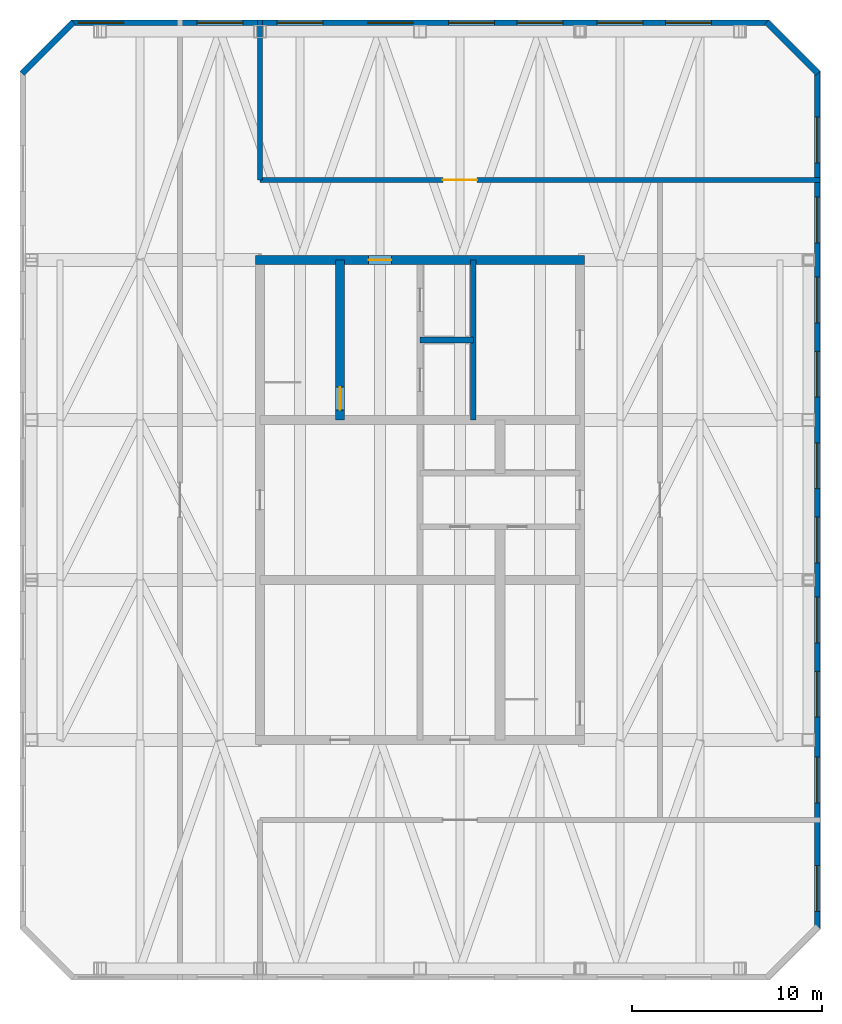
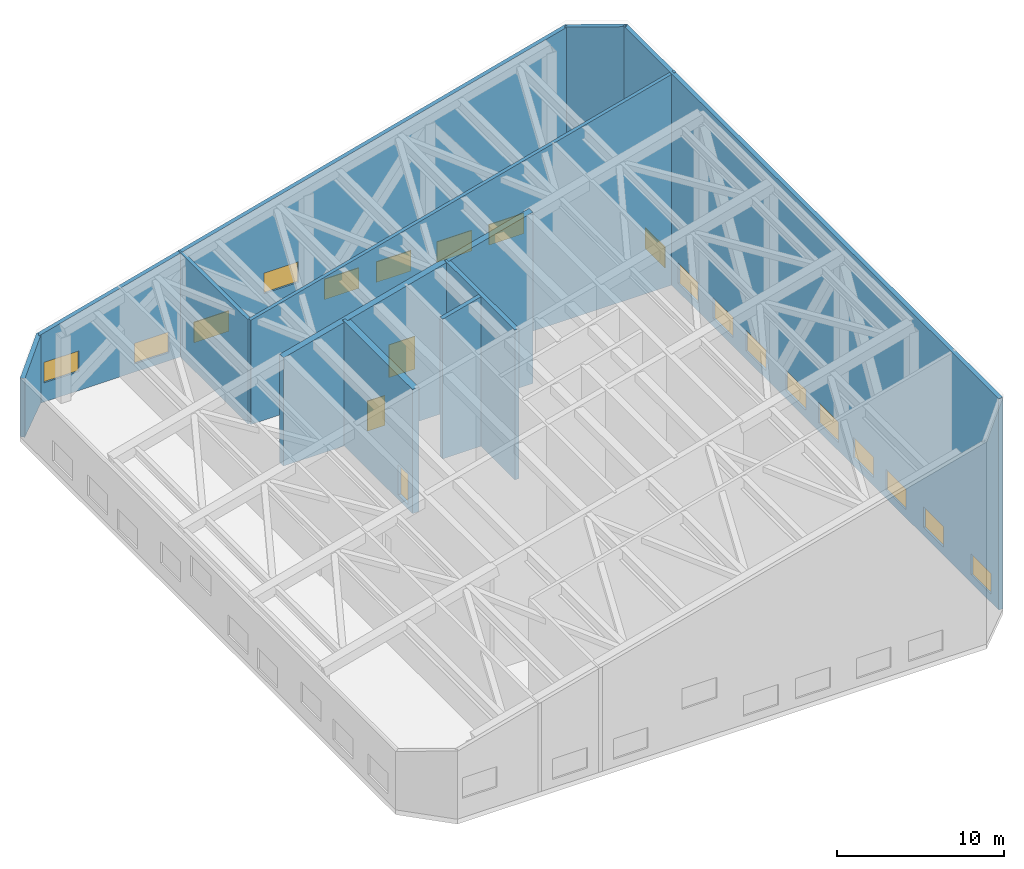
# One storey, part 4 of 5: 18 windows, 10 walls, 3 doors, 21 openings.
"""IFC4 building model written with IfcOpenShell, lengths in metres."""

from ifc_helpers import new_model, si_unit, direction, frame, frame_2d, origin, place, context, subcontext, project, spatial, polyline, rectangle, outline, extrude, material, layer, layer_set, type_object, element, fill, save


model = new_model("IFC4")

# Units and contexts
model_context = context("Model", 3, precision=1e-05, world=origin(), true_north=direction((0.0, 1.0)))
body_context = subcontext(model_context, "Body", "Model", "MODEL_VIEW")
ifc_project = project(units=[si_unit("LENGTHUNIT", "METRE"), si_unit("AREAUNIT", "SQUARE_METRE"), si_unit("VOLUMEUNIT", "CUBIC_METRE"), si_unit("PLANEANGLEUNIT", "RADIAN"), si_unit("MASSUNIT", "GRAM", prefix="KILO")], contexts=[model_context])

# Site, building, storey
site_placement = place(None, origin())
site = spatial("IfcSite", under=ifc_project, at=site_placement, CompositionType="ELEMENT")
building_placement = place(site_placement, origin())
building = spatial("IfcBuilding", under=site, at=building_placement, Name="Dunama Terrace Hotel", CompositionType="ELEMENT")
storey_placement = place(building_placement, frame((0.0, 0.0, 293.60009765625)))
storey = spatial("IfcBuildingStorey", under=building, at=storey_placement, Name="L75", CompositionType="ELEMENT", Elevation=293.60009765625)

# Walls
ifc_material_1 = material(Name="Concrete C50/60", Category="concrete")
ifc_layer_1 = layer(ifc_material_1, 0.300048828125)
ifc_layer_set_1 = layer_set([ifc_layer_1], Name="Core inner wall 300")
wall_type_1 = type_object("IfcWallType", Name="Core inner wall 300", PredefinedType="SHEAR", material=ifc_layer_set_1)
wall_1_placement = place(storey_placement, frame((36.39990234375, 33.60009765625, -0.35009765625), z_axis=(0.0, 0.0, 1.0), x_axis=(0.0, 1.0, 0.0)))
element("IfcWall", 1, at=wall_1_placement, inside=storey, type_object=wall_type_1, Name="Core inner wall 300 L75", PredefinedType="SHEAR", context=body_context, shape_type="SweptSolid", body=[
    extrude(outline(polyline([(0.0, 0.0), (8.39990234375, 0.0), (8.39990234375, 10.968505859375), (0.0, 10.968505859375), (0.0, 0.0)])), frame((0.0, 0.14990234375, 0.0), z_axis=(0.0, -1.0, 0.0), x_axis=(1.0, 0.0, 0.0)), (0.0, 0.0, 1.0), 0.300048828125),
])
wall_2_placement = place(storey_placement, frame((33.60009765625, 37.800048828125, -0.35009765625), z_axis=(0.0, 0.0, 1.0), x_axis=(1.0, 0.0, 0.0)))
element("IfcWall", 2, at=wall_2_placement, inside=storey, type_object=wall_type_1, Name="Core inner wall 300 L75", PredefinedType="SHEAR", context=body_context, shape_type="SweptSolid", body=[
    extrude(outline(polyline([(0.0, 0.0), (2.7998046875, 0.0), (2.800048828125, 10.968505859375), (0.0, 10.218017578125), (0.0, 0.0)])), frame((0.0, 0.14990234375, 0.0), z_axis=(0.0, -1.0, 0.0), x_axis=(1.0, 0.0, 0.0)), (0.0, 0.0, 1.0), 0.300048828125),
])

# Wall, opening, door
ifc_material_2 = material(Name="Concrete C50/60", Category="concrete")
ifc_layer_2 = layer(ifc_material_2, 0.449951171875)
ifc_layer_set_2 = layer_set([ifc_layer_2], Name="Core inner wall 450")
wall_type_2 = type_object("IfcWallType", Name="Core inner wall 450", PredefinedType="SHEAR", material=ifc_layer_set_2)
wall_3_placement = place(storey_placement, frame((29.39990234375, 33.60009765625, -0.35009765625), z_axis=(0.0, 0.0, 1.0), x_axis=(0.0, 1.0, 0.0)))
wall_3 = element("IfcWall", 3, at=wall_3_placement, inside=storey, type_object=wall_type_2, Name="Core inner wall 450 L75", PredefinedType="SHEAR", context=body_context, shape_type="SweptSolid", body=[
    extrude(outline(polyline([(0.0, 0.0), (8.39990234375, 0.0), (8.39990234375, 9.0927734375), (0.0, 9.0927734375), (0.0, 0.0)])), frame((0.0, 0.22509765625, 0.0), z_axis=(0.0, -1.0, 0.0), x_axis=(1.0, 0.0, 0.0)), (0.0, 0.0, 1.0), 0.449951171875),
])
opening_1_placement = place(wall_3_placement, frame((0.52490234375, 0.0, 0.35009765625)))
opening_1 = element("IfcOpeningElement", 4, at=opening_1_placement, cuts=wall_3, Name="Opening L75-001", PredefinedType="OPENING", context=body_context, shape_type="SweptSolid", body=[
    extrude(rectangle(XDim=1.199951171875, YDim=2.199951171875, at=frame_2d((0.60009765625, 1.10009765625))), frame((0.0, 0.23486328125, 0.0), z_axis=(0.0, -1.0, 0.0), x_axis=(1.0, 0.0, 0.0)), (0.0, 0.0, 1.0), 0.469970703125),
])
ifc_material_3 = material(Name="Timber door with steel frame", Category="steel")
door_type_1 = type_object("IfcDoorType", Name="Stair door 1200", OperationType="SINGLE_SWING_LEFT", PredefinedType="DOOR", material=ifc_material_3)
door_1_placement = place(opening_1_placement, origin())
door_1 = element("IfcDoor", 5, at=door_1_placement, inside=storey, type_object=door_type_1, Name="Stair door ST1 L75-001, type D5", OperationType="SINGLE_SWING_LEFT", OverallHeight=2.199951171875, OverallWidth=1.199951171875, PredefinedType="DOOR", context=body_context, shape_type="SweptSolid", body=[
    extrude(rectangle(XDim=1.199951171875, YDim=2.199951171875, at=frame_2d((0.60009765625, 1.10009765625))), frame((0.0, 0.02490234375, 0.0), z_axis=(0.0, -1.0, 0.0), x_axis=(1.0, 0.0, 0.0)), (0.0, 0.0, 1.0), 0.050048828125),
])
fill(opening_1, door_1)

ifc_material_4 = material(Name="Concrete C50/60", Category="concrete")
ifc_layer_3 = layer(ifc_material_4, 0.449951171875)
ifc_layer_set_3 = layer_set([ifc_layer_3], Name="Core wall 450")
wall_type_3 = type_object("IfcWallType", Name="Core wall 450", PredefinedType="SHEAR", material=ifc_layer_set_3)
wall_4_placement = place(storey_placement, frame((42.22509765625, 42.0, -0.35009765625), z_axis=(0.0, 0.0, 1.0), x_axis=(-1.0, 0.0, 0.0)))
wall_4 = element("IfcWall", 6, at=wall_4_placement, inside=storey, type_object=wall_type_3, Name="Core wall north L75", PredefinedType="SHEAR", context=body_context, shape_type="SweptSolid", body=[
    extrude(outline(polyline([(0.0, 0.0), (17.25, 0.0), (17.25, 7.906982421875), (0.0, 12.529296875), (0.0, 0.0)])), frame((0.0, 0.22509765625, 0.0), z_axis=(0.0, -1.0, 0.0), x_axis=(1.0, 0.0, 0.0)), (0.0, 0.0, 1.0), 0.449951171875),
])
opening_2_placement = place(wall_4_placement, frame((10.125, 0.0, 0.35009765625)))
opening_2 = element("IfcOpeningElement", 7, at=opening_2_placement, cuts=wall_4, Name="Opening L75-009", PredefinedType="OPENING", context=body_context, shape_type="SweptSolid", body=[
    extrude(rectangle(XDim=1.199951171875, YDim=2.199951171875, at=frame_2d((0.60009765625, 1.10009765625))), frame((0.0, 0.23486328125, 0.0), z_axis=(0.0, -1.0, 0.0), x_axis=(1.0, 0.0, 0.0)), (0.0, 0.0, 1.0), 0.469970703125),
])
ifc_material_5 = material(Name="Timber door with steel frame", Category="steel")
door_type_2 = type_object("IfcDoorType", Name="Firefighting lobby door 1200", OperationType="SINGLE_SWING_LEFT", PredefinedType="DOOR", material=ifc_material_5)
door_2_placement = place(opening_2_placement, origin())
door_2 = element("IfcDoor", 8, at=door_2_placement, inside=storey, type_object=door_type_2, Name="Door to firefighting lobby L75-009, type D4", OperationType="SINGLE_SWING_RIGHT", OverallHeight=2.199951171875, OverallWidth=1.199951171875, PredefinedType="DOOR", context=body_context, shape_type="SweptSolid", body=[
    extrude(rectangle(XDim=1.199951171875, YDim=2.199951171875, at=frame_2d((0.60009765625, 1.10009765625))), frame((0.0, 0.02490234375, 0.0), z_axis=(0.0, -1.0, 0.0), x_axis=(1.0, 0.0, 0.0)), (0.0, 0.0, 1.0), 0.050048828125),
])
fill(opening_2, door_2)

# Wall, openings, windows
ifc_material_6 = material(Name="Granite-faced concrete blockwork", Category="masonry")
ifc_layer_4 = layer(ifc_material_6, 0.300048828125)
ifc_layer_set_4 = layer_set([ifc_layer_4], Name="Crown screen wall 300")
wall_type_4 = type_object("IfcWallType", Name="Crown screen wall 300", PredefinedType="SOLIDWALL", material=ifc_layer_set_4)
wall_5_placement = place(storey_placement, frame((54.449951171875, 6.89990234375, 0.0), z_axis=(0.0, 0.0, 1.0), x_axis=(0.0, 1.0, 0.0)))
wall_5 = element("IfcWall", 9, at=wall_5_placement, inside=storey, type_object=wall_type_4, Name="Crown screen wall 300 L75", PredefinedType="SOLIDWALL", context=body_context, shape_type="SweptSolid", body=[
    extrude(outline(polyline([(0.0, 0.0), (45.0, 0.0), (45.0, 15.454833984375), (0.0, 15.454833984375), (0.0, 0.0)])), frame((0.0, 0.14990234375, 0.0), z_axis=(0.0, -1.0, 0.0), x_axis=(1.0, 0.0, 0.0)), (0.0, 0.0, 1.0), 0.300048828125),
])
opening_3_placement = place(wall_5_placement, frame((0.89990234375, 0.0, 0.60009765625)))
opening_3 = element("IfcOpeningElement", 10, at=opening_3_placement, cuts=wall_5, Name="Opening W3", PredefinedType="OPENING", context=body_context, shape_type="SweptSolid", body=[
    extrude(rectangle(XDim=2.39990234375, YDim=1.5, at=frame_2d((1.199951171875, 0.75))), frame((0.0, 0.159912109375, 0.0), z_axis=(0.0, -1.0, 0.0), x_axis=(1.0, 0.0, 0.0)), (0.0, 0.0, 1.0), 0.320068359375),
])
opening_4_placement = place(wall_5_placement, frame((6.60009765625, 0.0, 0.60009765625)))
opening_4 = element("IfcOpeningElement", 11, at=opening_4_placement, cuts=wall_5, Name="Opening W3", PredefinedType="OPENING", context=body_context, shape_type="SweptSolid", body=[
    extrude(rectangle(XDim=2.39990234375, YDim=1.5, at=frame_2d((1.199951171875, 0.75))), frame((0.0, 0.159912109375, 0.0), z_axis=(0.0, -1.0, 0.0), x_axis=(1.0, 0.0, 0.0)), (0.0, 0.0, 1.0), 0.320068359375),
])
opening_5_placement = place(wall_5_placement, frame((11.10009765625, 0.0, 0.60009765625)))
opening_5 = element("IfcOpeningElement", 12, at=opening_5_placement, cuts=wall_5, Name="Opening W3", PredefinedType="OPENING", context=body_context, shape_type="SweptSolid", body=[
    extrude(rectangle(XDim=2.39990234375, YDim=1.5, at=frame_2d((1.199951171875, 0.75))), frame((0.0, 0.159912109375, 0.0), z_axis=(0.0, -1.0, 0.0), x_axis=(1.0, 0.0, 0.0)), (0.0, 0.0, 1.0), 0.320068359375),
])
opening_6_placement = place(wall_5_placement, frame((15.0, 0.0, 0.60009765625)))
opening_6 = element("IfcOpeningElement", 13, at=opening_6_placement, cuts=wall_5, Name="Opening W3", PredefinedType="OPENING", context=body_context, shape_type="SweptSolid", body=[
    extrude(rectangle(XDim=2.39990234375, YDim=1.5, at=frame_2d((1.199951171875, 0.75))), frame((0.0, 0.159912109375, 0.0), z_axis=(0.0, -1.0, 0.0), x_axis=(1.0, 0.0, 0.0)), (0.0, 0.0, 1.0), 0.320068359375),
])
opening_7_placement = place(wall_5_placement, frame((19.199951171875, 0.0, 0.60009765625)))
opening_7 = element("IfcOpeningElement", 14, at=opening_7_placement, cuts=wall_5, Name="Opening W3", PredefinedType="OPENING", context=body_context, shape_type="SweptSolid", body=[
    extrude(rectangle(XDim=2.39990234375, YDim=1.5, at=frame_2d((1.199951171875, 0.75))), frame((0.0, 0.159912109375, 0.0), z_axis=(0.0, -1.0, 0.0), x_axis=(1.0, 0.0, 0.0)), (0.0, 0.0, 1.0), 0.320068359375),
])
opening_8_placement = place(wall_5_placement, frame((23.10009765625, 0.0, 0.60009765625)))
opening_8 = element("IfcOpeningElement", 15, at=opening_8_placement, cuts=wall_5, Name="Opening W3", PredefinedType="OPENING", context=body_context, shape_type="SweptSolid", body=[
    extrude(rectangle(XDim=2.39990234375, YDim=1.5, at=frame_2d((1.199951171875, 0.75))), frame((0.0, 0.159912109375, 0.0), z_axis=(0.0, -1.0, 0.0), x_axis=(1.0, 0.0, 0.0)), (0.0, 0.0, 1.0), 0.320068359375),
])
opening_9_placement = place(wall_5_placement, frame((27.89990234375, 0.0, 0.60009765625)))
opening_9 = element("IfcOpeningElement", 16, at=opening_9_placement, cuts=wall_5, Name="Opening W3", PredefinedType="OPENING", context=body_context, shape_type="SweptSolid", body=[
    extrude(rectangle(XDim=2.39990234375, YDim=1.5, at=frame_2d((1.199951171875, 0.75))), frame((0.0, 0.159912109375, 0.0), z_axis=(0.0, -1.0, 0.0), x_axis=(1.0, 0.0, 0.0)), (0.0, 0.0, 1.0), 0.320068359375),
])
opening_10_placement = place(wall_5_placement, frame((31.800048828125, 0.0, 0.60009765625)))
opening_10 = element("IfcOpeningElement", 17, at=opening_10_placement, cuts=wall_5, Name="Opening W3", PredefinedType="OPENING", context=body_context, shape_type="SweptSolid", body=[
    extrude(rectangle(XDim=2.39990234375, YDim=1.5, at=frame_2d((1.199951171875, 0.75))), frame((0.0, 0.159912109375, 0.0), z_axis=(0.0, -1.0, 0.0), x_axis=(1.0, 0.0, 0.0)), (0.0, 0.0, 1.0), 0.320068359375),
])
opening_11_placement = place(wall_5_placement, frame((36.0, 0.0, 0.60009765625)))
opening_11 = element("IfcOpeningElement", 18, at=opening_11_placement, cuts=wall_5, Name="Opening W3", PredefinedType="OPENING", context=body_context, shape_type="SweptSolid", body=[
    extrude(rectangle(XDim=2.39990234375, YDim=1.5, at=frame_2d((1.199951171875, 0.75))), frame((0.0, 0.159912109375, 0.0), z_axis=(0.0, -1.0, 0.0), x_axis=(1.0, 0.0, 0.0)), (0.0, 0.0, 1.0), 0.320068359375),
])
opening_12_placement = place(wall_5_placement, frame((40.199951171875, 0.0, 0.60009765625)))
opening_12 = element("IfcOpeningElement", 19, at=opening_12_placement, cuts=wall_5, Name="Opening W3", PredefinedType="OPENING", context=body_context, shape_type="SweptSolid", body=[
    extrude(rectangle(XDim=2.39990234375, YDim=1.5, at=frame_2d((1.199951171875, 0.75))), frame((0.0, 0.159912109375, 0.0), z_axis=(0.0, -1.0, 0.0), x_axis=(1.0, 0.0, 0.0)), (0.0, 0.0, 1.0), 0.320068359375),
])
ifc_material_7 = material(Name="Aluminium louvre blades in a steel frame", Category="steel")
window_type = type_object("IfcWindowType", Name="Crown louvre 2400", PartitioningType="SINGLE_PANEL", PredefinedType="WINDOW", material=ifc_material_7)
window_1_placement = place(opening_3_placement, origin())
window_1 = element("IfcWindow", 20, at=window_1_placement, inside=storey, type_object=window_type, Name="Crown louvre 2400 L75", OverallHeight=1.5, OverallWidth=2.39990234375, PartitioningType="SINGLE_PANEL", PredefinedType="WINDOW", context=body_context, shape_type="SweptSolid", body=[
    extrude(rectangle(XDim=2.39990234375, YDim=1.5, at=frame_2d((1.199951171875, 0.75))), frame((0.0, 0.030029296875, 0.0), z_axis=(0.0, -1.0, 0.0), x_axis=(1.0, 0.0, 0.0)), (0.0, 0.0, 1.0), 0.06005859375),
])
fill(opening_3, window_1)
window_2_placement = place(opening_4_placement, origin())
window_2 = element("IfcWindow", 21, at=window_2_placement, inside=storey, type_object=window_type, Name="Crown louvre 2400 L75", OverallHeight=1.5, OverallWidth=2.39990234375, PartitioningType="SINGLE_PANEL", PredefinedType="WINDOW", context=body_context, shape_type="SweptSolid", body=[
    extrude(rectangle(XDim=2.39990234375, YDim=1.5, at=frame_2d((1.199951171875, 0.75))), frame((0.0, 0.030029296875, 0.0), z_axis=(0.0, -1.0, 0.0), x_axis=(1.0, 0.0, 0.0)), (0.0, 0.0, 1.0), 0.06005859375),
])
fill(opening_4, window_2)
window_3_placement = place(opening_5_placement, origin())
window_3 = element("IfcWindow", 22, at=window_3_placement, inside=storey, type_object=window_type, Name="Crown louvre 2400 L75", OverallHeight=1.5, OverallWidth=2.39990234375, PartitioningType="SINGLE_PANEL", PredefinedType="WINDOW", context=body_context, shape_type="SweptSolid", body=[
    extrude(rectangle(XDim=2.39990234375, YDim=1.5, at=frame_2d((1.199951171875, 0.75))), frame((0.0, 0.030029296875, 0.0), z_axis=(0.0, -1.0, 0.0), x_axis=(1.0, 0.0, 0.0)), (0.0, 0.0, 1.0), 0.06005859375),
])
fill(opening_5, window_3)
window_4_placement = place(opening_6_placement, origin())
window_4 = element("IfcWindow", 23, at=window_4_placement, inside=storey, type_object=window_type, Name="Crown louvre 2400 L75", OverallHeight=1.5, OverallWidth=2.39990234375, PartitioningType="SINGLE_PANEL", PredefinedType="WINDOW", context=body_context, shape_type="SweptSolid", body=[
    extrude(rectangle(XDim=2.39990234375, YDim=1.5, at=frame_2d((1.199951171875, 0.75))), frame((0.0, 0.030029296875, 0.0), z_axis=(0.0, -1.0, 0.0), x_axis=(1.0, 0.0, 0.0)), (0.0, 0.0, 1.0), 0.06005859375),
])
fill(opening_6, window_4)
window_5_placement = place(opening_7_placement, origin())
window_5 = element("IfcWindow", 24, at=window_5_placement, inside=storey, type_object=window_type, Name="Crown louvre 2400 L75", OverallHeight=1.5, OverallWidth=2.39990234375, PartitioningType="SINGLE_PANEL", PredefinedType="WINDOW", context=body_context, shape_type="SweptSolid", body=[
    extrude(rectangle(XDim=2.39990234375, YDim=1.5, at=frame_2d((1.199951171875, 0.75))), frame((0.0, 0.030029296875, 0.0), z_axis=(0.0, -1.0, 0.0), x_axis=(1.0, 0.0, 0.0)), (0.0, 0.0, 1.0), 0.06005859375),
])
fill(opening_7, window_5)
window_6_placement = place(opening_8_placement, origin())
window_6 = element("IfcWindow", 25, at=window_6_placement, inside=storey, type_object=window_type, Name="Crown louvre 2400 L75", OverallHeight=1.5, OverallWidth=2.39990234375, PartitioningType="SINGLE_PANEL", PredefinedType="WINDOW", context=body_context, shape_type="SweptSolid", body=[
    extrude(rectangle(XDim=2.39990234375, YDim=1.5, at=frame_2d((1.199951171875, 0.75))), frame((0.0, 0.030029296875, 0.0), z_axis=(0.0, -1.0, 0.0), x_axis=(1.0, 0.0, 0.0)), (0.0, 0.0, 1.0), 0.06005859375),
])
fill(opening_8, window_6)
window_7_placement = place(opening_9_placement, origin())
window_7 = element("IfcWindow", 26, at=window_7_placement, inside=storey, type_object=window_type, Name="Crown louvre 2400 L75", OverallHeight=1.5, OverallWidth=2.39990234375, PartitioningType="SINGLE_PANEL", PredefinedType="WINDOW", context=body_context, shape_type="SweptSolid", body=[
    extrude(rectangle(XDim=2.39990234375, YDim=1.5, at=frame_2d((1.199951171875, 0.75))), frame((0.0, 0.030029296875, 0.0), z_axis=(0.0, -1.0, 0.0), x_axis=(1.0, 0.0, 0.0)), (0.0, 0.0, 1.0), 0.06005859375),
])
fill(opening_9, window_7)
window_8_placement = place(opening_10_placement, origin())
window_8 = element("IfcWindow", 27, at=window_8_placement, inside=storey, type_object=window_type, Name="Crown louvre 2400 L75", OverallHeight=1.5, OverallWidth=2.39990234375, PartitioningType="SINGLE_PANEL", PredefinedType="WINDOW", context=body_context, shape_type="SweptSolid", body=[
    extrude(rectangle(XDim=2.39990234375, YDim=1.5, at=frame_2d((1.199951171875, 0.75))), frame((0.0, 0.030029296875, 0.0), z_axis=(0.0, -1.0, 0.0), x_axis=(1.0, 0.0, 0.0)), (0.0, 0.0, 1.0), 0.06005859375),
])
fill(opening_10, window_8)
window_9_placement = place(opening_11_placement, origin())
window_9 = element("IfcWindow", 28, at=window_9_placement, inside=storey, type_object=window_type, Name="Crown louvre 2400 L75", OverallHeight=1.5, OverallWidth=2.39990234375, PartitioningType="SINGLE_PANEL", PredefinedType="WINDOW", context=body_context, shape_type="SweptSolid", body=[
    extrude(rectangle(XDim=2.39990234375, YDim=1.5, at=frame_2d((1.199951171875, 0.75))), frame((0.0, 0.030029296875, 0.0), z_axis=(0.0, -1.0, 0.0), x_axis=(1.0, 0.0, 0.0)), (0.0, 0.0, 1.0), 0.06005859375),
])
fill(opening_11, window_9)
window_10_placement = place(opening_12_placement, origin())
window_10 = element("IfcWindow", 29, at=window_10_placement, inside=storey, type_object=window_type, Name="Crown louvre 2400 L75", OverallHeight=1.5, OverallWidth=2.39990234375, PartitioningType="SINGLE_PANEL", PredefinedType="WINDOW", context=body_context, shape_type="SweptSolid", body=[
    extrude(rectangle(XDim=2.39990234375, YDim=1.5, at=frame_2d((1.199951171875, 0.75))), frame((0.0, 0.030029296875, 0.0), z_axis=(0.0, -1.0, 0.0), x_axis=(1.0, 0.0, 0.0)), (0.0, 0.0, 1.0), 0.06005859375),
])
fill(opening_12, window_10)

# Wall
wall_6_placement = place(storey_placement, frame((54.493896484375, 51.7939453125, 0.0), z_axis=(0.0, 0.0, 1.0), x_axis=(-0.707106781187, 0.707106781187, 0.0)))
element("IfcWall", 30, at=wall_6_placement, inside=storey, type_object=wall_type_4, Name="Crown screen wall 300 L75", PredefinedType="SOLIDWALL", context=body_context, shape_type="SweptSolid", body=[
    extrude(outline(polyline([(0.0, 0.0), (3.818359375, 0.0), (3.818359375, 14.7431640625), (0.0, 15.466552734375), (0.0, 0.0)])), frame((0.0, 0.14990234375, 0.0), z_axis=(0.0, -1.0, 0.0), x_axis=(1.0, 0.0, 0.0)), (0.0, 0.0, 1.0), 0.300048828125),
])

# Wall, openings, windows
wall_7_placement = place(storey_placement, frame((51.89990234375, 54.449951171875, 0.0), z_axis=(0.0, 0.0, 1.0), x_axis=(-1.0, 0.0, 0.0)))
wall_7 = element("IfcWall", 31, at=wall_7_placement, inside=storey, type_object=wall_type_4, Name="Crown screen wall 300 L75", PredefinedType="SOLIDWALL", context=body_context, shape_type="SweptSolid", body=[
    extrude(outline(polyline([(0.0, 0.0), (36.599853515625, 0.0), (36.60009765625, 4.964599609375), (0.0, 14.771484375), (0.0, 0.0)])), frame((0.0, 0.14990234375, 0.0), z_axis=(0.0, -1.0, 0.0), x_axis=(1.0, 0.0, 0.0)), (0.0, 0.0, 1.0), 0.300048828125),
])
opening_13_placement = place(wall_7_placement, frame((33.85009765625, 0.0, 1.39990234375)))
opening_13 = element("IfcOpeningElement", 32, at=opening_13_placement, cuts=wall_7, Name="Opening W3", PredefinedType="OPENING", context=body_context, shape_type="SweptSolid", body=[
    extrude(rectangle(XDim=2.39990234375, YDim=1.5, at=frame_2d((1.199951171875, 0.75))), frame((0.0, 0.159912109375, 0.0), z_axis=(0.0, -1.0, 0.0), x_axis=(1.0, 0.0, 0.0)), (0.0, 0.0, 1.0), 0.320068359375),
])
opening_14_placement = place(wall_7_placement, frame((27.60009765625, 0.0, 0.60009765625)))
opening_14 = element("IfcOpeningElement", 33, at=opening_14_placement, cuts=wall_7, Name="Opening W3", PredefinedType="OPENING", context=body_context, shape_type="SweptSolid", body=[
    extrude(rectangle(XDim=2.39990234375, YDim=1.5, at=frame_2d((1.199951171875, 0.75))), frame((0.0, 0.159912109375, 0.0), z_axis=(0.0, -1.0, 0.0), x_axis=(1.0, 0.0, 0.0)), (0.0, 0.0, 1.0), 0.320068359375),
])
opening_15_placement = place(wall_7_placement, frame((23.39990234375, 0.0, 0.60009765625)))
opening_15 = element("IfcOpeningElement", 34, at=opening_15_placement, cuts=wall_7, Name="Opening W3", PredefinedType="OPENING", context=body_context, shape_type="SweptSolid", body=[
    extrude(rectangle(XDim=2.39990234375, YDim=1.5, at=frame_2d((1.199951171875, 0.75))), frame((0.0, 0.159912109375, 0.0), z_axis=(0.0, -1.0, 0.0), x_axis=(1.0, 0.0, 0.0)), (0.0, 0.0, 1.0), 0.320068359375),
])
opening_16_placement = place(wall_7_placement, frame((18.64990234375, 0.0, 2.60009765625)))
opening_16 = element("IfcOpeningElement", 35, at=opening_16_placement, cuts=wall_7, Name="Opening W3", PredefinedType="OPENING", context=body_context, shape_type="SweptSolid", body=[
    extrude(rectangle(XDim=2.39990234375, YDim=1.5, at=frame_2d((1.199951171875, 0.75))), frame((0.0, 0.159912109375, 0.0), z_axis=(0.0, -1.0, 0.0), x_axis=(1.0, 0.0, 0.0)), (0.0, 0.0, 1.0), 0.320068359375),
])
opening_17_placement = place(wall_7_placement, frame((14.39990234375, 0.0, 0.60009765625)))
opening_17 = element("IfcOpeningElement", 36, at=opening_17_placement, cuts=wall_7, Name="Opening W3", PredefinedType="OPENING", context=body_context, shape_type="SweptSolid", body=[
    extrude(rectangle(XDim=2.39990234375, YDim=1.5, at=frame_2d((1.199951171875, 0.75))), frame((0.0, 0.159912109375, 0.0), z_axis=(0.0, -1.0, 0.0), x_axis=(1.0, 0.0, 0.0)), (0.0, 0.0, 1.0), 0.320068359375),
])
opening_18_placement = place(wall_7_placement, frame((10.800048828125, 0.0, 0.60009765625)))
opening_18 = element("IfcOpeningElement", 37, at=opening_18_placement, cuts=wall_7, Name="Opening W3", PredefinedType="OPENING", context=body_context, shape_type="SweptSolid", body=[
    extrude(rectangle(XDim=2.39990234375, YDim=1.5, at=frame_2d((1.199951171875, 0.75))), frame((0.0, 0.159912109375, 0.0), z_axis=(0.0, -1.0, 0.0), x_axis=(1.0, 0.0, 0.0)), (0.0, 0.0, 1.0), 0.320068359375),
])
opening_19_placement = place(wall_7_placement, frame((6.60009765625, 0.0, 0.60009765625)))
opening_19 = element("IfcOpeningElement", 38, at=opening_19_placement, cuts=wall_7, Name="Opening W3", PredefinedType="OPENING", context=body_context, shape_type="SweptSolid", body=[
    extrude(rectangle(XDim=2.39990234375, YDim=1.5, at=frame_2d((1.199951171875, 0.75))), frame((0.0, 0.159912109375, 0.0), z_axis=(0.0, -1.0, 0.0), x_axis=(1.0, 0.0, 0.0)), (0.0, 0.0, 1.0), 0.320068359375),
])
opening_20_placement = place(wall_7_placement, frame((3.0, 0.0, 0.60009765625)))
opening_20 = element("IfcOpeningElement", 39, at=opening_20_placement, cuts=wall_7, Name="Opening W3", PredefinedType="OPENING", context=body_context, shape_type="SweptSolid", body=[
    extrude(rectangle(XDim=2.39990234375, YDim=1.5, at=frame_2d((1.199951171875, 0.75))), frame((0.0, 0.159912109375, 0.0), z_axis=(0.0, -1.0, 0.0), x_axis=(1.0, 0.0, 0.0)), (0.0, 0.0, 1.0), 0.320068359375),
])
window_11_placement = place(opening_13_placement, origin())
window_11 = element("IfcWindow", 40, at=window_11_placement, inside=storey, type_object=window_type, Name="Crown louvre 2400 L75", OverallHeight=1.5, OverallWidth=2.39990234375, PartitioningType="SINGLE_PANEL", PredefinedType="WINDOW", context=body_context, shape_type="SweptSolid", body=[
    extrude(rectangle(XDim=2.39990234375, YDim=1.5, at=frame_2d((1.199951171875, 0.75))), frame((0.0, 0.030029296875, 0.0), z_axis=(0.0, -1.0, 0.0), x_axis=(1.0, 0.0, 0.0)), (0.0, 0.0, 1.0), 0.06005859375),
])
fill(opening_13, window_11)
window_12_placement = place(opening_14_placement, origin())
window_12 = element("IfcWindow", 41, at=window_12_placement, inside=storey, type_object=window_type, Name="Crown louvre 2400 L75", OverallHeight=1.5, OverallWidth=2.39990234375, PartitioningType="SINGLE_PANEL", PredefinedType="WINDOW", context=body_context, shape_type="SweptSolid", body=[
    extrude(rectangle(XDim=2.39990234375, YDim=1.5, at=frame_2d((1.199951171875, 0.75))), frame((0.0, 0.030029296875, 0.0), z_axis=(0.0, -1.0, 0.0), x_axis=(1.0, 0.0, 0.0)), (0.0, 0.0, 1.0), 0.06005859375),
])
fill(opening_14, window_12)
window_13_placement = place(opening_15_placement, origin())
window_13 = element("IfcWindow", 42, at=window_13_placement, inside=storey, type_object=window_type, Name="Crown louvre 2400 L75", OverallHeight=1.5, OverallWidth=2.39990234375, PartitioningType="SINGLE_PANEL", PredefinedType="WINDOW", context=body_context, shape_type="SweptSolid", body=[
    extrude(rectangle(XDim=2.39990234375, YDim=1.5, at=frame_2d((1.199951171875, 0.75))), frame((0.0, 0.030029296875, 0.0), z_axis=(0.0, -1.0, 0.0), x_axis=(1.0, 0.0, 0.0)), (0.0, 0.0, 1.0), 0.06005859375),
])
fill(opening_15, window_13)
window_14_placement = place(opening_16_placement, origin())
window_14 = element("IfcWindow", 43, at=window_14_placement, inside=storey, type_object=window_type, Name="Crown louvre 2400 L75", OverallHeight=1.5, OverallWidth=2.39990234375, PartitioningType="SINGLE_PANEL", PredefinedType="WINDOW", context=body_context, shape_type="SweptSolid", body=[
    extrude(rectangle(XDim=2.39990234375, YDim=1.5, at=frame_2d((1.199951171875, 0.75))), frame((0.0, 0.030029296875, 0.0), z_axis=(0.0, -1.0, 0.0), x_axis=(1.0, 0.0, 0.0)), (0.0, 0.0, 1.0), 0.06005859375),
])
fill(opening_16, window_14)
window_15_placement = place(opening_17_placement, origin())
window_15 = element("IfcWindow", 44, at=window_15_placement, inside=storey, type_object=window_type, Name="Crown louvre 2400 L75", OverallHeight=1.5, OverallWidth=2.39990234375, PartitioningType="SINGLE_PANEL", PredefinedType="WINDOW", context=body_context, shape_type="SweptSolid", body=[
    extrude(rectangle(XDim=2.39990234375, YDim=1.5, at=frame_2d((1.199951171875, 0.75))), frame((0.0, 0.030029296875, 0.0), z_axis=(0.0, -1.0, 0.0), x_axis=(1.0, 0.0, 0.0)), (0.0, 0.0, 1.0), 0.06005859375),
])
fill(opening_17, window_15)
window_16_placement = place(opening_18_placement, origin())
window_16 = element("IfcWindow", 45, at=window_16_placement, inside=storey, type_object=window_type, Name="Crown louvre 2400 L75", OverallHeight=1.5, OverallWidth=2.39990234375, PartitioningType="SINGLE_PANEL", PredefinedType="WINDOW", context=body_context, shape_type="SweptSolid", body=[
    extrude(rectangle(XDim=2.39990234375, YDim=1.5, at=frame_2d((1.199951171875, 0.75))), frame((0.0, 0.030029296875, 0.0), z_axis=(0.0, -1.0, 0.0), x_axis=(1.0, 0.0, 0.0)), (0.0, 0.0, 1.0), 0.06005859375),
])
fill(opening_18, window_16)
window_17_placement = place(opening_19_placement, origin())
window_17 = element("IfcWindow", 46, at=window_17_placement, inside=storey, type_object=window_type, Name="Crown louvre 2400 L75", OverallHeight=1.5, OverallWidth=2.39990234375, PartitioningType="SINGLE_PANEL", PredefinedType="WINDOW", context=body_context, shape_type="SweptSolid", body=[
    extrude(rectangle(XDim=2.39990234375, YDim=1.5, at=frame_2d((1.199951171875, 0.75))), frame((0.0, 0.030029296875, 0.0), z_axis=(0.0, -1.0, 0.0), x_axis=(1.0, 0.0, 0.0)), (0.0, 0.0, 1.0), 0.06005859375),
])
fill(opening_19, window_17)
window_18_placement = place(opening_20_placement, origin())
window_18 = element("IfcWindow", 47, at=window_18_placement, inside=storey, type_object=window_type, Name="Crown louvre 2400 L75", OverallHeight=1.5, OverallWidth=2.39990234375, PartitioningType="SINGLE_PANEL", PredefinedType="WINDOW", context=body_context, shape_type="SweptSolid", body=[
    extrude(rectangle(XDim=2.39990234375, YDim=1.5, at=frame_2d((1.199951171875, 0.75))), frame((0.0, 0.030029296875, 0.0), z_axis=(0.0, -1.0, 0.0), x_axis=(1.0, 0.0, 0.0)), (0.0, 0.0, 1.0), 0.06005859375),
])
fill(opening_20, window_18)

# Walls
wall_8_placement = place(storey_placement, frame((15.406005859375, 54.493896484375, 0.0), z_axis=(0.0, 0.0, 1.0), x_axis=(-0.707106781187, -0.707106781187, 0.0)))
element("IfcWall", 48, at=wall_8_placement, inside=storey, type_object=wall_type_4, Name="Crown screen wall 300 L75", PredefinedType="SOLIDWALL", context=body_context, shape_type="SweptSolid", body=[
    extrude(outline(polyline([(0.0, 0.0), (3.818359375, 0.0), (3.818359375, 4.26953125), (0.0, 4.992919921875), (0.0, 0.0)])), frame((0.0, 0.14990234375, 0.0), z_axis=(0.0, -1.0, 0.0), x_axis=(1.0, 0.0, 0.0)), (0.0, 0.0, 1.0), 0.300048828125),
])
ifc_material_8 = material(Name="Concrete blockwork", Category="masonry")
ifc_layer_5 = layer(ifc_material_8, 0.25)
ifc_layer_set_5 = layer_set([ifc_layer_5], Name="Plant room wall 250")
wall_type_5 = type_object("IfcWallType", Name="Plant room wall 250", PredefinedType="PARTITIONING", material=ifc_layer_set_5)
wall_9_placement = place(storey_placement, frame((25.199951171875, 46.199951171875, 0.0), z_axis=(0.0, 0.0, 1.0), x_axis=(0.0, 1.0, 0.0)))
element("IfcWall", 49, at=wall_9_placement, inside=storey, type_object=wall_type_5, Name="Plant room wall 250 L75", PredefinedType="PARTITIONING", context=body_context, shape_type="SweptSolid", body=[
    extrude(outline(polyline([(0.0, 0.0), (8.400146484375, 0.0), (8.39990234375, 7.6171875), (0.0, 7.6171875), (0.0, 0.0)])), frame((0.0, 0.125, 0.0), z_axis=(0.0, -1.0, 0.0), x_axis=(1.0, 0.0, 0.0)), (0.0, 0.0, 1.0), 0.25),
])

# Wall, opening, door
wall_10_placement = place(storey_placement, frame((25.199951171875, 46.199951171875, 0.0), z_axis=(0.0, 0.0, 1.0), x_axis=(1.0, 0.0, 0.0)))
wall_10 = element("IfcWall", 50, at=wall_10_placement, inside=storey, type_object=wall_type_5, Name="Plant room wall 250 L75", PredefinedType="PARTITIONING", context=body_context, shape_type="SweptSolid", body=[
    extrude(outline(polyline([(0.0, 0.0), (29.400146484375, 0.0), (29.39990234375, 15.494873046875), (0.0, 7.6171875), (0.0, 0.0)])), frame((0.0, 0.125, 0.0), z_axis=(0.0, -1.0, 0.0), x_axis=(1.0, 0.0, 0.0)), (0.0, 0.0, 1.0), 0.25),
])
opening_21_placement = place(wall_10_placement, frame((9.60009765625, 0.0, 0.0)))
opening_21 = element("IfcOpeningElement", 51, at=opening_21_placement, cuts=wall_10, Name="Opening L75-014", PredefinedType="OPENING", context=body_context, shape_type="SweptSolid", body=[
    extrude(rectangle(XDim=1.800048828125, YDim=2.39990234375, at=frame_2d((0.89990234375, 1.199951171875))), frame((0.0, 0.135009765625, 0.0), z_axis=(0.0, -1.0, 0.0), x_axis=(1.0, 0.0, 0.0)), (0.0, 0.0, 1.0), 0.27001953125),
])
ifc_material_9 = material(Name="Timber door with steel frame", Category="steel")
door_type_3 = type_object("IfcDoorType", Name="Plant room double door 1800", OperationType="DOUBLE_DOOR_DOUBLE_SWING", PredefinedType="DOOR", material=ifc_material_9)
door_3_placement = place(opening_21_placement, origin())
door_3 = element("IfcDoor", 52, at=door_3_placement, inside=storey, type_object=door_type_3, Name="Door to cooling tower louvred enclosure L75-014, type D9", OperationType="DOUBLE_DOOR_DOUBLE_SWING", OverallHeight=2.39990234375, OverallWidth=1.800048828125, PredefinedType="DOOR", context=body_context, shape_type="SweptSolid", body=[
    extrude(rectangle(XDim=1.800048828125, YDim=2.39990234375, at=frame_2d((0.89990234375, 1.199951171875))), frame((0.0, 0.02490234375, 0.0), z_axis=(0.0, -1.0, 0.0), x_axis=(1.0, 0.0, 0.0)), (0.0, 0.0, 1.0), 0.050048828125),
])
fill(opening_21, door_3)

save(model, "model.ifc")
